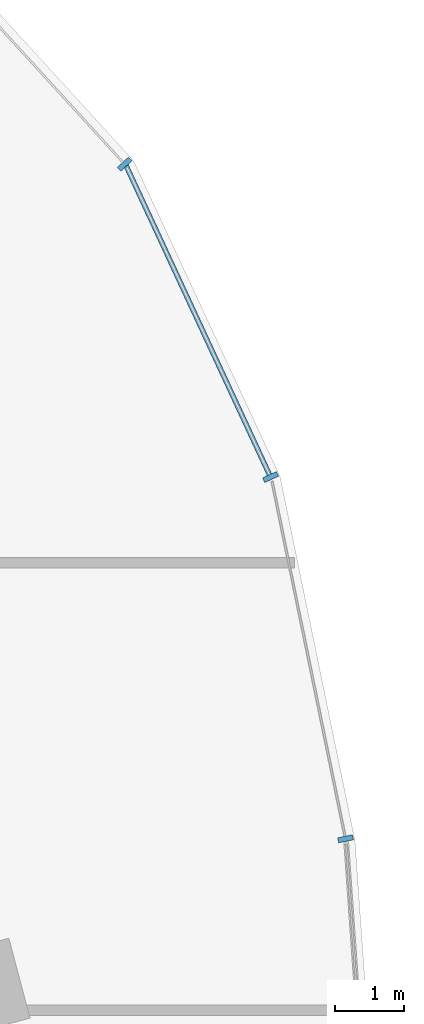
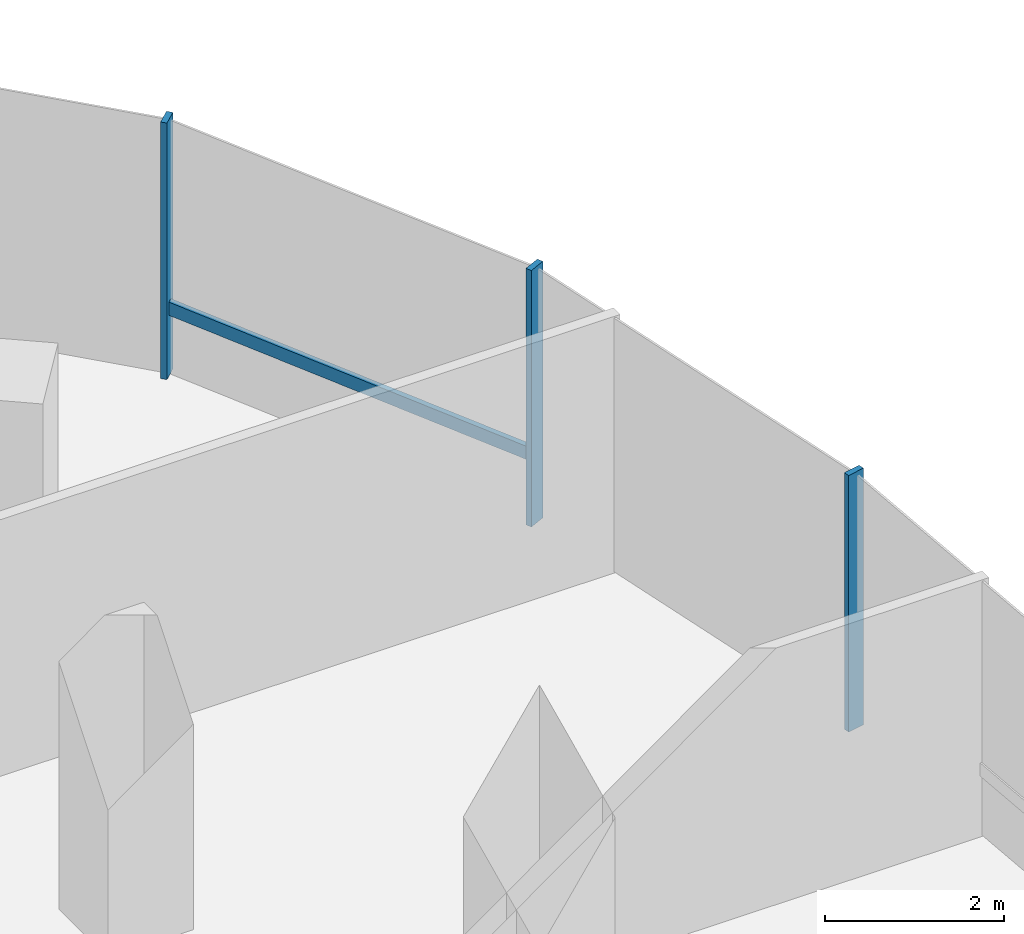
# One storey, part 8 of 22: 4 members, 1 element without a shape of its own.
"""IFC4 building model written with IfcOpenShell, lengths in metres."""

from ifc_helpers import new_model, si_unit, direction, frame, origin, origin_2d, place, context, subcontext, project, spatial, rectangle, extrude, material, material_profile, profile_set, type_object, element, aggregate, save


model = new_model("IFC4")

# Units and contexts
model_context = context("Model", 3, precision=1e-05, world=origin(), true_north=direction((0.0, 1.0)))
body_context = subcontext(model_context, "Body", "Model", "MODEL_VIEW")
ifc_project = project(units=[si_unit("LENGTHUNIT", "METRE"), si_unit("AREAUNIT", "SQUARE_METRE"), si_unit("VOLUMEUNIT", "CUBIC_METRE"), si_unit("PLANEANGLEUNIT", "RADIAN"), si_unit("MASSUNIT", "GRAM", prefix="KILO"), si_unit("THERMODYNAMICTEMPERATUREUNIT", "KELVIN"), si_unit("POWERUNIT", "WATT")], contexts=[model_context])

# Site, building, storey
site_placement = place(None, origin())
site = spatial("IfcSite", under=ifc_project, at=site_placement, CompositionType="ELEMENT")
building_placement = place(site_placement, origin())
building = spatial("IfcBuilding", under=site, at=building_placement, Name="Cundina Bronze Exchange", CompositionType="ELEMENT")
storey_placement = place(building_placement, frame((0.0, 0.0, 43.0)))
storey = spatial("IfcBuildingStorey", under=building, at=storey_placement, Name="L10", CompositionType="ELEMENT", Elevation=43.0)

# Curtain wall, members
ifc_material = material(Name="Anodised Bronze Aluminium 6063-T6", Category="aluminium")
curtain_wall_type = type_object("IfcCurtainWallType", Name="CWS-TRD-LOW", PredefinedType="NOTDEFINED", material=ifc_material)
curtain_wall_placement = place(storey_placement, origin())
curtain_wall = element("IfcCurtainWall", 1, at=curtain_wall_placement, inside=storey, type_object=curtain_wall_type, Name="L10 CW-02 Curtain Wall Run CWR-L10-E1", PredefinedType="NOTDEFINED")
ifc_material_profile_1 = material_profile(ifc_material, rectangle(XDim=0.074951171875, YDim=0.219970703125, at=origin_2d()), Name="AL75X220", Category="aluminium")
ifc_profile_set_1 = profile_set([ifc_material_profile_1], Name="Anodised Bronze Aluminium 6063-T6")
member_type_1 = type_object("IfcMemberType", Name="CWM-MUL-220", PredefinedType="MULLION", material=ifc_profile_set_1)
member_1_placement = place(storey_placement, frame((50.717041015625, 8.67822265625, 0.0), z_axis=(0.0, 0.0, 1.0), x_axis=(-0.201419845156, 0.979505000486, 0.0)))
member_1 = element("IfcMember", 2, at=member_1_placement, type_object=member_type_1, Name="CW-02 Mullion 2", PredefinedType="MULLION", context=body_context, shape_type="SweptSolid", body=[
    extrude(rectangle(XDim=0.074951171875, YDim=0.219970703125, at=origin_2d()), origin(), (0.0, 0.0, 1.0), 3.5),
])
member_2_placement = place(storey_placement, frame((49.6279296875, 13.931884765625, 0.0), z_axis=(0.0, 0.0, 1.0), x_axis=(-0.42087749791, 0.907117485088, 0.0)))
member_2 = element("IfcMember", 3, at=member_2_placement, type_object=member_type_1, Name="CW-02 Mullion 3", PredefinedType="MULLION", context=body_context, shape_type="SweptSolid", body=[
    extrude(rectangle(XDim=0.074951171875, YDim=0.219970703125, at=origin_2d()), origin(), (0.0, 0.0, 1.0), 3.5),
])
member_3_placement = place(storey_placement, frame((47.508544921875, 18.47705078125, 0.0), z_axis=(0.0, 0.0, 1.0), x_axis=(-0.674302387584, 0.738455340626, 0.0)))
member_3 = element("IfcMember", 4, at=member_3_placement, type_object=member_type_1, Name="CW-02 Mullion 4", PredefinedType="MULLION", context=body_context, shape_type="SweptSolid", body=[
    extrude(rectangle(XDim=0.074951171875, YDim=0.219970703125, at=origin_2d()), origin(), (0.0, 0.0, 1.0), 3.5),
])
ifc_material_profile_2 = material_profile(ifc_material, rectangle(XDim=0.070068359375, YDim=0.179931640625, at=origin_2d()), Name="AL70X180", Category="aluminium")
ifc_profile_set_2 = profile_set([ifc_material_profile_2], Name="Anodised Bronze Aluminium 6063-T6")
member_type_2 = type_object("IfcMemberType", Name="CWM-TRN-180", PredefinedType="USERDEFINED", material=ifc_profile_set_2)
member_4_placement = place(storey_placement, frame((49.610595703125, 13.96923828125, 0.919921875), z_axis=(-0.420811422796, 0.907148139195, 0.0), x_axis=(-0.907148139195, -0.420811422796, 0.0)))
member_4 = element("IfcMember", 5, at=member_4_placement, type_object=member_type_2, Name="CW-02 Spandrel Transom 3", ObjectType="TRANSOM", PredefinedType="USERDEFINED", context=body_context, shape_type="SweptSolid", body=[
    extrude(rectangle(XDim=0.070068359375, YDim=0.179931640625, at=origin_2d()), origin(), (0.0, 0.0, 1.0), 4.95166015625),
])
aggregate(curtain_wall, [member_1, member_2, member_4, member_3])

save(model, "model.ifc")
